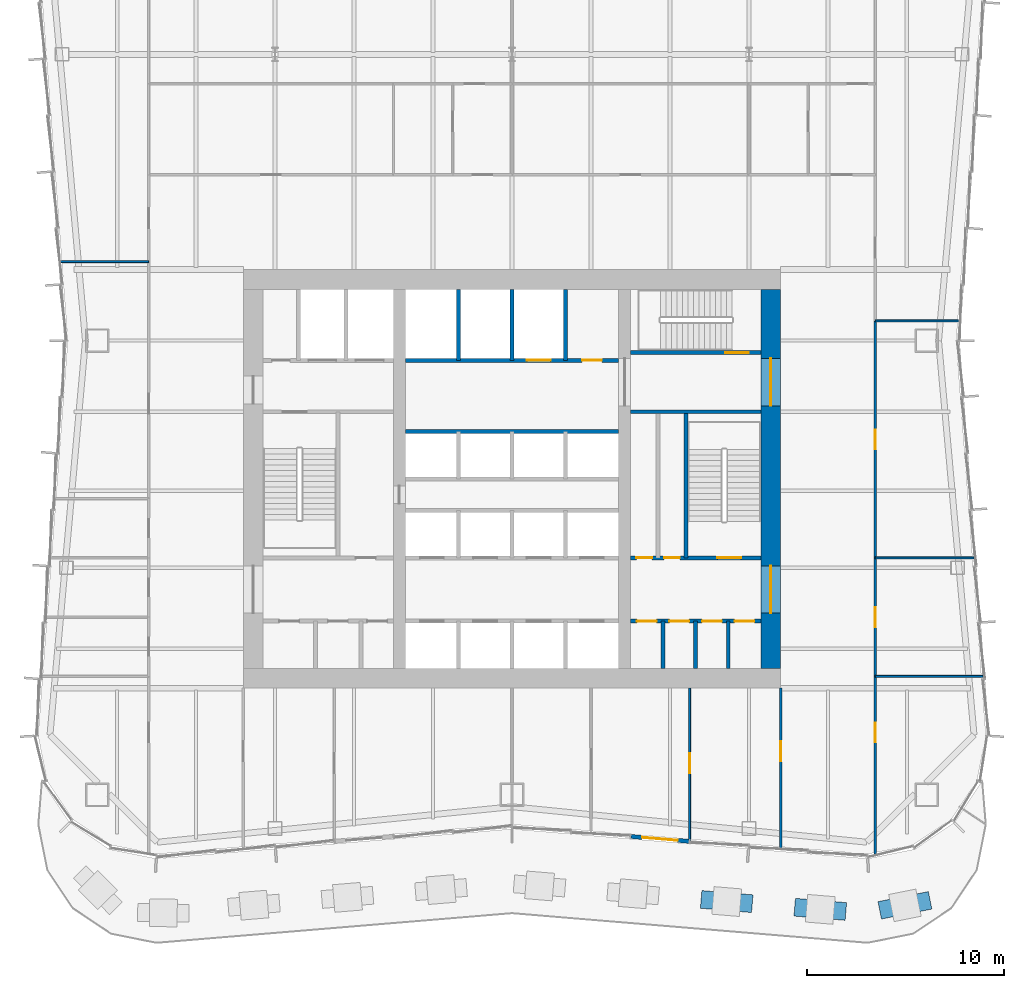
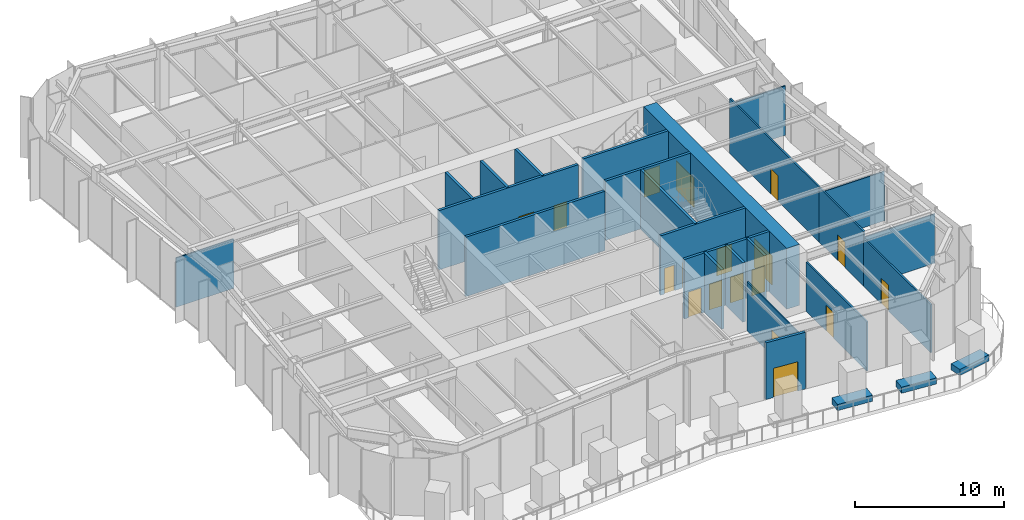
# One storey, part 10 of 15: 27 walls, 18 doors, 18 openings.
"""IFC4 building model written with IfcOpenShell, lengths in metres."""

from ifc_helpers import new_model, si_unit, direction, frame, frame_2d, origin, place, context, subcontext, project, spatial, rectangle, extrude, material, layer, layer_set, type_object, element, fill, save


model = new_model("IFC4")

# Units and contexts
model_context = context("Model", 3, precision=1e-05, world=origin(), true_north=direction((0.0, 1.0)))
body_context = subcontext(model_context, "Body", "Model", "MODEL_VIEW")
ifc_project = project(units=[si_unit("LENGTHUNIT", "METRE"), si_unit("AREAUNIT", "SQUARE_METRE"), si_unit("VOLUMEUNIT", "CUBIC_METRE"), si_unit("PLANEANGLEUNIT", "RADIAN"), si_unit("MASSUNIT", "GRAM", prefix="KILO")], contexts=[model_context])

# Site, building, storey
site_placement = place(None, origin())
site = spatial("IfcSite", under=ifc_project, at=site_placement, CompositionType="ELEMENT")
building_placement = place(site_placement, origin())
building = spatial("IfcBuilding", under=site, at=building_placement, Name="Verdant Reach Tower", CompositionType="ELEMENT")
storey_placement = place(building_placement, frame((0.0, 0.0, 121.0)))
storey = spatial("IfcBuildingStorey", under=building, at=storey_placement, Name="L27", CompositionType="ELEMENT", Elevation=121.0)

# Wall, openings, doors
ifc_material_1 = material(Name="Gypsum board on steel studs", Category="steel")
ifc_layer_1 = layer(ifc_material_1, 0.199951171875)
ifc_layer_set_1 = layer_set([ifc_layer_1], Name="CO-WALL-ROOM")
wall_type_1 = type_object("IfcWallType", Name="CO-WALL-ROOM", PredefinedType="PARTITIONING", material=ifc_layer_set_1)
wall_1_placement = place(storey_placement, frame((6.0, 20.800048828125, 0.0), z_axis=(0.0, 0.0, 1.0), x_axis=(1.0, 0.0, 0.0)))
wall_1 = element("IfcWall", 1, at=wall_1_placement, inside=storey, type_object=wall_type_1, Name="Core partition, L27", PredefinedType="PARTITIONING", context=body_context, shape_type="SweptSolid", body=[
    extrude(rectangle(XDim=6.60009765625, YDim=0.199951171875, at=frame_2d((3.300048828125, 0.0))), origin(), (0.0, 0.0, 1.0), 4.8701171875),
])
opening_1_placement = place(wall_1_placement, frame((0.324951171875, 0.0, 0.0)))
opening_1 = element("IfcOpeningElement", 2, at=opening_1_placement, cuts=wall_1, Name="Opening CD", PredefinedType="OPENING", context=body_context, shape_type="SweptSolid", body=[
    extrude(rectangle(XDim=1.0, YDim=2.10009765625, at=frame_2d((0.5, 1.050048828125))), frame((0.0, 0.10986328125, 0.0), z_axis=(0.0, -1.0, 0.0), x_axis=(1.0, 0.0, 0.0)), (0.0, 0.0, 1.0), 0.219970703125),
])
opening_2_placement = place(wall_1_placement, frame((1.97509765625, 0.0, 0.0)))
opening_2 = element("IfcOpeningElement", 3, at=opening_2_placement, cuts=wall_1, Name="Opening CD", PredefinedType="OPENING", context=body_context, shape_type="SweptSolid", body=[
    extrude(rectangle(XDim=1.0, YDim=2.10009765625, at=frame_2d((0.5, 1.050048828125))), frame((0.0, 0.10986328125, 0.0), z_axis=(0.0, -1.0, 0.0), x_axis=(1.0, 0.0, 0.0)), (0.0, 0.0, 1.0), 0.219970703125),
])
opening_3_placement = place(wall_1_placement, frame((3.625, 0.0, 0.0)))
opening_3 = element("IfcOpeningElement", 4, at=opening_3_placement, cuts=wall_1, Name="Opening CD", PredefinedType="OPENING", context=body_context, shape_type="SweptSolid", body=[
    extrude(rectangle(XDim=1.0, YDim=2.10009765625, at=frame_2d((0.5, 1.050048828125))), frame((0.0, 0.10986328125, 0.0), z_axis=(0.0, -1.0, 0.0), x_axis=(1.0, 0.0, 0.0)), (0.0, 0.0, 1.0), 0.219970703125),
])
opening_4_placement = place(wall_1_placement, frame((5.27490234375, 0.0, 0.0)))
opening_4 = element("IfcOpeningElement", 5, at=opening_4_placement, cuts=wall_1, Name="Opening CD", PredefinedType="OPENING", context=body_context, shape_type="SweptSolid", body=[
    extrude(rectangle(XDim=1.0, YDim=2.10009765625, at=frame_2d((0.5, 1.050048828125))), frame((0.0, 0.10986328125, 0.0), z_axis=(0.0, -1.0, 0.0), x_axis=(1.0, 0.0, 0.0)), (0.0, 0.0, 1.0), 0.219970703125),
])
ifc_material_2 = material(Name="Timber", Category="wood")
door_type_1 = type_object("IfcDoorType", Name="CO-DOOR-ROOM", OperationType="NOTDEFINED", PredefinedType="DOOR", material=ifc_material_2)
door_1_placement = place(opening_1_placement, origin())
door_1 = element("IfcDoor", 6, at=door_1_placement, inside=storey, type_object=door_type_1, Name="Core room door, L27", OperationType="SINGLE_SWING_LEFT", OverallHeight=2.10009765625, OverallWidth=1.0, PredefinedType="DOOR", context=body_context, shape_type="SweptSolid", body=[
    extrude(rectangle(XDim=1.0, YDim=2.10009765625, at=frame_2d((0.5, 1.050048828125))), frame((0.0, 0.02490234375, 0.0), z_axis=(0.0, -1.0, 0.0), x_axis=(1.0, 0.0, 0.0)), (0.0, 0.0, 1.0), 0.050048828125),
])
fill(opening_1, door_1)
door_2_placement = place(opening_2_placement, origin())
door_2 = element("IfcDoor", 7, at=door_2_placement, inside=storey, type_object=door_type_1, Name="Core room door, L27", OperationType="SINGLE_SWING_LEFT", OverallHeight=2.10009765625, OverallWidth=1.0, PredefinedType="DOOR", context=body_context, shape_type="SweptSolid", body=[
    extrude(rectangle(XDim=1.0, YDim=2.10009765625, at=frame_2d((0.5, 1.050048828125))), frame((0.0, 0.02490234375, 0.0), z_axis=(0.0, -1.0, 0.0), x_axis=(1.0, 0.0, 0.0)), (0.0, 0.0, 1.0), 0.050048828125),
])
fill(opening_2, door_2)
door_3_placement = place(opening_3_placement, origin())
door_3 = element("IfcDoor", 8, at=door_3_placement, inside=storey, type_object=door_type_1, Name="Core room door, L27", OperationType="SINGLE_SWING_RIGHT", OverallHeight=2.10009765625, OverallWidth=1.0, PredefinedType="DOOR", context=body_context, shape_type="SweptSolid", body=[
    extrude(rectangle(XDim=1.0, YDim=2.10009765625, at=frame_2d((0.5, 1.050048828125))), frame((0.0, 0.02490234375, 0.0), z_axis=(0.0, -1.0, 0.0), x_axis=(1.0, 0.0, 0.0)), (0.0, 0.0, 1.0), 0.050048828125),
])
fill(opening_3, door_3)
door_4_placement = place(opening_4_placement, origin())
door_4 = element("IfcDoor", 9, at=door_4_placement, inside=storey, type_object=door_type_1, Name="Core room door, L27", OperationType="SINGLE_SWING_RIGHT", OverallHeight=2.10009765625, OverallWidth=1.0, PredefinedType="DOOR", context=body_context, shape_type="SweptSolid", body=[
    extrude(rectangle(XDim=1.0, YDim=2.10009765625, at=frame_2d((0.5, 1.050048828125))), frame((0.0, 0.02490234375, 0.0), z_axis=(0.0, -1.0, 0.0), x_axis=(1.0, 0.0, 0.0)), (0.0, 0.0, 1.0), 0.050048828125),
])
fill(opening_4, door_4)

# Walls
for number, where, z_axis, x_axis, name in (
    (10, (7.64990234375, 18.39990234375, 0.0), (0.0, 0.0, 1.0), (0.0, 1.0, 0.0), "Core partition, L27"),
    (11, (9.300048828125, 18.39990234375, 0.0), (0.0, 0.0, 1.0), (0.0, 1.0, 0.0), "Core partition, L27"),
    (12, (10.949951171875, 18.39990234375, 0.0), (0.0, 0.0, 1.0), (0.0, 1.0, 0.0), "Core partition, L27"),
):
    element("IfcWall", number, at=place(storey_placement, frame(where, z_axis=z_axis, x_axis=x_axis)), inside=storey, type_object=wall_type_1, Name=name, PredefinedType="PARTITIONING", context=body_context, shape_type="SweptSolid", body=[
        extrude(rectangle(XDim=2.400146484375, YDim=0.199951171875, at=frame_2d((1.2001953125, 0.0))), origin(), (0.0, 0.0, 1.0), 4.8701171875),
    ])
ifc_material_3 = material(Name="Concrete C40/50", Category="concrete")
ifc_layer_2 = layer(ifc_material_3, 0.199951171875)
ifc_layer_set_2 = layer_set([ifc_layer_2], Name="CO-WALL-SHAFT")
wall_type_2 = type_object("IfcWallType", Name="CO-WALL-SHAFT", PredefinedType="PARTITIONING", material=ifc_layer_set_2)
wall_2_placement = place(storey_placement, frame((-5.39990234375, 30.39990234375, 0.0), z_axis=(0.0, 0.0, 1.0), x_axis=(1.0, 0.0, 0.0)))
element("IfcWall", 13, at=wall_2_placement, inside=storey, type_object=wall_type_2, Name="Lift shaft wall, L27", PredefinedType="PARTITIONING", context=body_context, shape_type="SweptSolid", body=[
    extrude(rectangle(XDim=10.7998046875, YDim=0.199951171875, at=frame_2d((5.39990234375, 0.0))), origin(), (0.0, 0.0, 1.0), 4.8701171875),
])

# Wall, openings, doors
wall_3_placement = place(storey_placement, frame((-5.39990234375, 34.0, 0.0), z_axis=(0.0, 0.0, 1.0), x_axis=(1.0, 0.0, 0.0)))
wall_3 = element("IfcWall", 14, at=wall_3_placement, inside=storey, type_object=wall_type_2, Name="Lift shaft wall, L27", PredefinedType="PARTITIONING", context=body_context, shape_type="SweptSolid", body=[
    extrude(rectangle(XDim=10.7998046875, YDim=0.199951171875, at=frame_2d((5.39990234375, 0.0))), origin(), (0.0, 0.0, 1.0), 4.8701171875),
])
opening_5_placement = place(wall_3_placement, frame((6.14990234375, 0.0, 0.0)))
opening_5 = element("IfcOpeningElement", 15, at=opening_5_placement, cuts=wall_3, Name="Opening LD-SL1", PredefinedType="OPENING", context=body_context, shape_type="SweptSolid", body=[
    extrude(rectangle(XDim=1.199951171875, YDim=2.199951171875, at=frame_2d((0.60009765625, 1.10009765625))), frame((0.0, 0.10986328125, 0.0), z_axis=(0.0, -1.0, 0.0), x_axis=(1.0, 0.0, 0.0)), (0.0, 0.0, 1.0), 0.219970703125),
])
opening_6_placement = place(wall_3_placement, frame((8.949951171875, 0.0, 0.0)))
opening_6 = element("IfcOpeningElement", 16, at=opening_6_placement, cuts=wall_3, Name="Opening CD", PredefinedType="OPENING", context=body_context, shape_type="SweptSolid", body=[
    extrude(rectangle(XDim=1.0, YDim=2.10009765625, at=frame_2d((0.5, 1.050048828125))), frame((0.0, 0.10986328125, 0.0), z_axis=(0.0, -1.0, 0.0), x_axis=(1.0, 0.0, 0.0)), (0.0, 0.0, 1.0), 0.219970703125),
])
ifc_material_4 = material(Name="Stainless steel", Category="steel")
door_type_2 = type_object("IfcDoorType", Name="CO-DOOR-LANDING", OperationType="SLIDING_TO_LEFT", PredefinedType="DOOR", material=ifc_material_4)
door_5_placement = place(opening_5_placement, origin())
door_5 = element("IfcDoor", 17, at=door_5_placement, inside=storey, type_object=door_type_2, Name="Landing door SL1, L27", OperationType="SLIDING_TO_LEFT", OverallHeight=2.199951171875, OverallWidth=1.199951171875, PredefinedType="DOOR", context=body_context, shape_type="SweptSolid", body=[
    extrude(rectangle(XDim=1.199951171875, YDim=2.199951171875, at=frame_2d((0.60009765625, 1.10009765625))), frame((0.0, 0.02490234375, 0.0), z_axis=(0.0, -1.0, 0.0), x_axis=(1.0, 0.0, 0.0)), (0.0, 0.0, 1.0), 0.050048828125),
])
fill(opening_5, door_5)
door_6_placement = place(opening_6_placement, origin())
door_6 = element("IfcDoor", 18, at=door_6_placement, inside=storey, type_object=door_type_1, Name="Core room door, L27", OperationType="SINGLE_SWING_LEFT", OverallHeight=2.10009765625, OverallWidth=1.0, PredefinedType="DOOR", context=body_context, shape_type="SweptSolid", body=[
    extrude(rectangle(XDim=1.0, YDim=2.10009765625, at=frame_2d((0.5, 1.050048828125))), frame((0.0, 0.02490234375, 0.0), z_axis=(0.0, -1.0, 0.0), x_axis=(1.0, 0.0, 0.0)), (0.0, 0.0, 1.0), 0.050048828125),
])
fill(opening_6, door_6)

# Walls
for number, where, z_axis, x_axis, name in (
    (19, (-2.699951171875, 34.0, 0.0), (0.0, 0.0, 1.0), (0.0, 1.0, 0.0), "Lift shaft wall, L27"),
    (20, (0.0, 34.0, 0.0), (0.0, 0.0, 1.0), (0.0, 1.0, 0.0), "Lift shaft wall, L27"),
    (21, (2.699951171875, 34.0, 0.0), (0.0, 0.0, 1.0), (0.0, 1.0, 0.0), "Lift shaft wall, L27"),
):
    element("IfcWall", number, at=place(storey_placement, frame(where, z_axis=z_axis, x_axis=x_axis)), inside=storey, type_object=wall_type_2, Name=name, PredefinedType="PARTITIONING", context=body_context, shape_type="SweptSolid", body=[
        extrude(rectangle(XDim=3.60009765625, YDim=0.199951171875, at=frame_2d((1.800048828125, 0.0))), origin(), (0.0, 0.0, 1.0), 4.8701171875),
    ])

# Wall, openings, doors
ifc_layer_3 = layer(ifc_material_3, 0.199951171875)
ifc_layer_set_3 = layer_set([ifc_layer_3], Name="CO-WALL-STAIR")
wall_type_3 = type_object("IfcWallType", Name="CO-WALL-STAIR", PredefinedType="PARTITIONING", material=ifc_layer_set_3)
wall_4_placement = place(storey_placement, frame((6.0, 24.0, 0.0), z_axis=(0.0, 0.0, 1.0), x_axis=(1.0, 0.0, 0.0)))
wall_4 = element("IfcWall", 22, at=wall_4_placement, inside=storey, type_object=wall_type_3, Name="Stair enclosure wall, L27", PredefinedType="PARTITIONING", context=body_context, shape_type="SweptSolid", body=[
    extrude(rectangle(XDim=6.60009765625, YDim=0.199951171875, at=frame_2d((3.300048828125, 0.0))), origin(), (0.0, 0.0, 1.0), 4.8701171875),
])
opening_7_placement = place(wall_4_placement, frame((0.300048828125, 0.0, 0.0)))
opening_7 = element("IfcOpeningElement", 23, at=opening_7_placement, cuts=wall_4, Name="Opening CDN", PredefinedType="OPENING", context=body_context, shape_type="SweptSolid", body=[
    extrude(rectangle(XDim=0.800048828125, YDim=2.10009765625, at=frame_2d((0.39990234375, 1.050048828125))), frame((0.0, 0.10986328125, 0.0), z_axis=(0.0, -1.0, 0.0), x_axis=(1.0, 0.0, 0.0)), (0.0, 0.0, 1.0), 0.219970703125),
])
opening_8_placement = place(wall_4_placement, frame((1.699951171875, 0.0, 0.0)))
opening_8 = element("IfcOpeningElement", 24, at=opening_8_placement, cuts=wall_4, Name="Opening CDN", PredefinedType="OPENING", context=body_context, shape_type="SweptSolid", body=[
    extrude(rectangle(XDim=0.800048828125, YDim=2.10009765625, at=frame_2d((0.39990234375, 1.050048828125))), frame((0.0, 0.10986328125, 0.0), z_axis=(0.0, -1.0, 0.0), x_axis=(1.0, 0.0, 0.0)), (0.0, 0.0, 1.0), 0.219970703125),
])
opening_9_placement = place(wall_4_placement, frame((4.39990234375, 0.0, 0.0)))
opening_9 = element("IfcOpeningElement", 25, at=opening_9_placement, cuts=wall_4, Name="Opening SD", PredefinedType="OPENING", context=body_context, shape_type="SweptSolid", body=[
    extrude(rectangle(XDim=1.199951171875, YDim=2.199951171875, at=frame_2d((0.60009765625, 1.10009765625))), frame((0.0, 0.10986328125, 0.0), z_axis=(0.0, -1.0, 0.0), x_axis=(1.0, 0.0, 0.0)), (0.0, 0.0, 1.0), 0.219970703125),
])
door_type_3 = type_object("IfcDoorType", Name="CO-DOOR-ROOM-NARROW", OperationType="NOTDEFINED", PredefinedType="DOOR", material=ifc_material_2)
door_7_placement = place(opening_7_placement, origin())
door_7 = element("IfcDoor", 26, at=door_7_placement, inside=storey, type_object=door_type_3, Name="Core room door, L27", OperationType="SINGLE_SWING_LEFT", OverallHeight=2.10009765625, OverallWidth=0.800048828125, PredefinedType="DOOR", context=body_context, shape_type="SweptSolid", body=[
    extrude(rectangle(XDim=0.800048828125, YDim=2.10009765625, at=frame_2d((0.39990234375, 1.050048828125))), frame((0.0, 0.02490234375, 0.0), z_axis=(0.0, -1.0, 0.0), x_axis=(1.0, 0.0, 0.0)), (0.0, 0.0, 1.0), 0.050048828125),
])
fill(opening_7, door_7)
door_8_placement = place(opening_8_placement, origin())
door_8 = element("IfcDoor", 27, at=door_8_placement, inside=storey, type_object=door_type_3, Name="Core room door, L27", OperationType="SINGLE_SWING_RIGHT", OverallHeight=2.10009765625, OverallWidth=0.800048828125, PredefinedType="DOOR", context=body_context, shape_type="SweptSolid", body=[
    extrude(rectangle(XDim=0.800048828125, YDim=2.10009765625, at=frame_2d((0.39990234375, 1.050048828125))), frame((0.0, 0.02490234375, 0.0), z_axis=(0.0, -1.0, 0.0), x_axis=(1.0, 0.0, 0.0)), (0.0, 0.0, 1.0), 0.050048828125),
])
fill(opening_8, door_8)
ifc_material_5 = material(Name="Steel", Category="steel")
door_type_4 = type_object("IfcDoorType", Name="CO-DOOR-STAIR", OperationType="NOTDEFINED", PredefinedType="DOOR", material=ifc_material_5)
door_9_placement = place(opening_9_placement, origin())
door_9 = element("IfcDoor", 28, at=door_9_placement, inside=storey, type_object=door_type_4, Name="Stair door, L27", OperationType="SINGLE_SWING_LEFT", OverallHeight=2.199951171875, OverallWidth=1.199951171875, PredefinedType="DOOR", context=body_context, shape_type="SweptSolid", body=[
    extrude(rectangle(XDim=1.199951171875, YDim=2.199951171875, at=frame_2d((0.60009765625, 1.10009765625))), frame((0.0, 0.02490234375, 0.0), z_axis=(0.0, -1.0, 0.0), x_axis=(1.0, 0.0, 0.0)), (0.0, 0.0, 1.0), 0.050048828125),
])
fill(opening_9, door_9)

# Wall
wall_5_placement = place(storey_placement, frame((6.0, 31.39990234375, 0.0), z_axis=(0.0, 0.0, 1.0), x_axis=(1.0, 0.0, 0.0)))
element("IfcWall", 29, at=wall_5_placement, inside=storey, type_object=wall_type_3, Name="Stair enclosure wall, L27", PredefinedType="PARTITIONING", context=body_context, shape_type="SweptSolid", body=[
    extrude(rectangle(XDim=6.60009765625, YDim=0.199951171875, at=frame_2d((3.300048828125, 0.0))), origin(), (0.0, 0.0, 1.0), 4.8701171875),
])

# Wall, opening, door
wall_6_placement = place(storey_placement, frame((6.0, 34.39990234375, 0.0), z_axis=(0.0, 0.0, 1.0), x_axis=(1.0, 0.0, 0.0)))
wall_6 = element("IfcWall", 30, at=wall_6_placement, inside=storey, type_object=wall_type_3, Name="Stair enclosure wall, L27", PredefinedType="PARTITIONING", context=body_context, shape_type="SweptSolid", body=[
    extrude(rectangle(XDim=6.60009765625, YDim=0.199951171875, at=frame_2d((3.300048828125, 0.0))), origin(), (0.0, 0.0, 1.0), 4.8701171875),
])
opening_10_placement = place(wall_6_placement, frame((4.800048828125, 0.0, 0.0)))
opening_10 = element("IfcOpeningElement", 31, at=opening_10_placement, cuts=wall_6, Name="Opening SD", PredefinedType="OPENING", context=body_context, shape_type="SweptSolid", body=[
    extrude(rectangle(XDim=1.199951171875, YDim=2.199951171875, at=frame_2d((0.60009765625, 1.10009765625))), frame((0.0, 0.10986328125, 0.0), z_axis=(0.0, -1.0, 0.0), x_axis=(1.0, 0.0, 0.0)), (0.0, 0.0, 1.0), 0.219970703125),
])
door_10_placement = place(opening_10_placement, origin())
door_10 = element("IfcDoor", 32, at=door_10_placement, inside=storey, type_object=door_type_4, Name="Stair door, L27", OperationType="SINGLE_SWING_RIGHT", OverallHeight=2.199951171875, OverallWidth=1.199951171875, PredefinedType="DOOR", context=body_context, shape_type="SweptSolid", body=[
    extrude(rectangle(XDim=1.199951171875, YDim=2.199951171875, at=frame_2d((0.60009765625, 1.10009765625))), frame((0.0, 0.02490234375, 0.0), z_axis=(0.0, -1.0, 0.0), x_axis=(1.0, 0.0, 0.0)), (0.0, 0.0, 1.0), 0.050048828125),
])
fill(opening_10, door_10)

# Wall
wall_7_placement = place(storey_placement, frame((8.800048828125, 24.0, 0.0), z_axis=(0.0, 0.0, 1.0), x_axis=(0.0, 1.0, 0.0)))
element("IfcWall", 33, at=wall_7_placement, inside=storey, type_object=wall_type_3, Name="Stair enclosure wall, L27", PredefinedType="PARTITIONING", context=body_context, shape_type="SweptSolid", body=[
    extrude(rectangle(XDim=7.39990234375, YDim=0.199951171875, at=frame_2d((3.699951171875, 0.0))), origin(), (0.0, 0.0, 1.0), 4.8701171875),
])

# Wall, opening, door
ifc_material_6 = material(Name="Insulated bronze aluminium panel wall", Category="aluminium")
ifc_layer_4 = layer(ifc_material_6, 0.219970703125)
ifc_layer_set_4 = layer_set([ifc_layer_4], Name="EN-INFILL WALL")
wall_type_4 = type_object("IfcWallType", Name="EN-INFILL WALL", PredefinedType="SOLIDWALL", material=ifc_layer_set_4)
wall_8_placement = place(storey_placement, frame((6.023193359375, 9.8916015625, 0.0), z_axis=(0.0, 0.0, 1.0), x_axis=(0.99654690113, -0.083031764089, 0.0)))
wall_8 = element("IfcWall", 34, at=wall_8_placement, inside=storey, type_object=wall_type_4, Name="External infill wall, terrace bay 2, L27", PredefinedType="SOLIDWALL", context=body_context, shape_type="SweptSolid", body=[
    extrude(rectangle(XDim=2.9462890625, YDim=0.2119140625, at=frame_2d((1.47314453125, 0.0))), origin(), (0.0, 0.0, 1.0), 4.64990234375),
])
opening_11_placement = place(wall_8_placement, frame((0.5732421875, 0.0, 0.0)))
opening_11 = element("IfcOpeningElement", 35, at=opening_11_placement, cuts=wall_8, Name="Opening TD1-DR", PredefinedType="OPENING", context=body_context, shape_type="SweptSolid", body=[
    extrude(rectangle(XDim=1.800048828125, YDim=2.39990234375, at=frame_2d((0.89990234375, 1.199951171875))), frame((0.0, 0.115966796875, 0.0), z_axis=(0.0, -1.0, 0.0), x_axis=(1.0, 0.0, 0.0)), (0.0, 0.0, 1.0), 0.23193359375),
])
ifc_material_7 = material(Name="Aluminium framed glazed door", Category="aluminium")
door_type_5 = type_object("IfcDoorType", Name="EN-DOOR TERRACE", OperationType="DOUBLE_DOOR_SINGLE_SWING", PredefinedType="DOOR", material=ifc_material_7)
door_11_placement = place(opening_11_placement, origin())
door_11 = element("IfcDoor", 36, at=door_11_placement, inside=storey, type_object=door_type_5, Name="Terrace door 2, L27", OperationType="DOUBLE_DOOR_SINGLE_SWING", OverallHeight=2.39990234375, OverallWidth=1.800048828125, PredefinedType="DOOR", context=body_context, shape_type="SweptSolid", body=[
    extrude(rectangle(XDim=1.800048828125, YDim=2.39990234375, at=frame_2d((0.89990234375, 1.199951171875))), frame((0.0, 0.02490234375, 0.0), z_axis=(0.0, -1.0, 0.0), x_axis=(1.0, 0.0, 0.0)), (0.0, 0.0, 1.0), 0.050048828125),
])
fill(opening_11, door_11)

# Walls
ifc_material_8 = material(Name="Precast concrete C30/37", Category="concrete")
ifc_layer_5 = layer(ifc_material_8, 0.89990234375)
ifc_layer_set_5 = layer_set([ifc_layer_5], Name="EN-PLANTER TERRACE")
wall_type_5 = type_object("IfcWallType", Name="EN-PLANTER TERRACE", PredefinedType="USERDEFINED", material=ifc_layer_set_5)
for number, where, z_axis, x_axis, name in (
    (37, (21.171630859375, 6.66015625, 0.0), (0.0, 0.0, 1.0), (-0.980796771907, -0.195032541431, 0.0), "Terrace planter 1, L27"),
    (38, (16.906005859375, 6.096435546875, 0.0), (0.0, 0.0, 1.0), (-0.99654899538, 0.083006625075, 0.0), "Terrace planter 2, L27"),
    (39, (12.16748046875, 6.4912109375, 0.0), (0.0, 0.0, 1.0), (-0.996541223745, 0.083099875908, 0.0), "Terrace planter 3, L27"),
):
    element("IfcWall", number, at=place(storey_placement, frame(where, z_axis=z_axis, x_axis=x_axis)), inside=storey, type_object=wall_type_5, Name=name, ObjectType="PLANTER", PredefinedType="USERDEFINED", context=body_context, shape_type="SweptSolid", body=[
        extrude(rectangle(XDim=2.60009765625, YDim=0.89990234375, at=frame_2d((1.300048828125, 0.0))), origin(), (0.0, 0.0, 1.0), 0.5),
    ])
ifc_layer_6 = layer(ifc_material_1, 0.10009765625)
ifc_layer_set_6 = layer_set([ifc_layer_6], Name="FL-W1 Partition 100")
wall_type_6 = type_object("IfcWallType", Name="FL-W1 Partition 100", PredefinedType="PARTITIONING", material=ifc_layer_set_6)
wall_9_placement = place(storey_placement, frame((-18.39990234375, 39.0, 0.0), z_axis=(0.0, 0.0, 1.0), x_axis=(-1.0, 0.0, 0.0)))
element("IfcWall", 40, at=wall_9_placement, inside=storey, type_object=wall_type_6, Name="Partition 27.23", PredefinedType="PARTITIONING", context=body_context, shape_type="SweptSolid", body=[
    extrude(rectangle(XDim=4.47998046875, YDim=0.10009765625, at=frame_2d((2.239990234375, 0.0))), origin(), (0.0, 0.0, 1.0), 4.0400390625),
])
wall_10_placement = place(storey_placement, frame((23.85498046875, 18.0, 0.0), z_axis=(0.0, 0.0, 1.0), x_axis=(-1.0, 0.0, 0.0)))
element("IfcWall", 41, at=wall_10_placement, inside=storey, type_object=wall_type_6, Name="Partition 27.27", PredefinedType="PARTITIONING", context=body_context, shape_type="SweptSolid", body=[
    extrude(rectangle(XDim=5.455078125, YDim=0.10009765625, at=frame_2d((2.7275390625, 0.0))), origin(), (0.0, 0.0, 1.0), 4.0400390625),
])
wall_11_placement = place(storey_placement, frame((23.405029296875, 24.0, 0.0), z_axis=(0.0, 0.0, 1.0), x_axis=(-1.0, 0.0, 0.0)))
element("IfcWall", 42, at=wall_11_placement, inside=storey, type_object=wall_type_6, Name="Partition 27.28", PredefinedType="PARTITIONING", context=body_context, shape_type="SweptSolid", body=[
    extrude(rectangle(XDim=5.005126953125, YDim=0.10009765625, at=frame_2d((2.50244140625, 0.0))), origin(), (0.0, 0.0, 1.0), 4.0400390625),
])
wall_12_placement = place(storey_placement, frame((22.655029296875, 36.0, 0.0), z_axis=(0.0, 0.0, 1.0), x_axis=(-1.0, 0.0, 0.0)))
element("IfcWall", 43, at=wall_12_placement, inside=storey, type_object=wall_type_6, Name="Partition 27.29", PredefinedType="PARTITIONING", context=body_context, shape_type="SweptSolid", body=[
    extrude(rectangle(XDim=4.255126953125, YDim=0.10009765625, at=frame_2d((2.12744140625, 0.0))), origin(), (0.0, 0.0, 1.0), 4.0400390625),
])

# Wall, opening, door
wall_13_placement = place(storey_placement, frame((9.0, 9.669921875, 0.0), z_axis=(0.0, 0.0, 1.0), x_axis=(0.0, 1.0, 0.0)))
wall_13 = element("IfcWall", 44, at=wall_13_placement, inside=storey, type_object=wall_type_6, Name="Partition 27.35", PredefinedType="PARTITIONING", context=body_context, shape_type="SweptSolid", body=[
    extrude(rectangle(XDim=7.72998046875, YDim=0.10009765625, at=frame_2d((3.864990234375, 0.0))), origin(), (0.0, 0.0, 1.0), 4.0400390625),
])
opening_12_placement = place(wall_13_placement, frame((3.43017578125, 0.0, 0.0)))
opening_12 = element("IfcOpeningElement", 45, at=opening_12_placement, cuts=wall_13, Name="Opening D3", PredefinedType="OPENING", context=body_context, shape_type="SweptSolid", body=[
    extrude(rectangle(XDim=1.0, YDim=2.10009765625, at=frame_2d((0.5, 1.050048828125))), frame((0.0, 0.06005859375, 0.0), z_axis=(0.0, -1.0, 0.0), x_axis=(1.0, 0.0, 0.0)), (0.0, 0.0, 1.0), 0.1201171875),
])
ifc_material_9 = material(Name="Painted timber door leaf", Category="wood")
door_type_6 = type_object("IfcDoorType", Name="FL-D3 Door 1000x2100", OperationType="NOTDEFINED", PredefinedType="DOOR", material=ifc_material_9)
door_12_placement = place(opening_12_placement, origin())
door_12 = element("IfcDoor", 46, at=door_12_placement, inside=storey, type_object=door_type_6, Name="Door 27-018", OperationType="SINGLE_SWING_RIGHT", OverallHeight=2.10009765625, OverallWidth=1.0, PredefinedType="DOOR", context=body_context, shape_type="SweptSolid", body=[
    extrude(rectangle(XDim=1.0, YDim=2.10009765625, at=frame_2d((0.5, 1.050048828125))), frame((0.0, 0.02490234375, 0.0), z_axis=(0.0, -1.0, 0.0), x_axis=(1.0, 0.0, 0.0)), (0.0, 0.0, 1.0), 0.050048828125),
])
fill(opening_12, door_12)

ifc_material_10 = material(Name="Gypsum board on steel studs, fire rated", Category="steel")
ifc_layer_7 = layer(ifc_material_10, 0.125)
ifc_layer_set_7 = layer_set([ifc_layer_7], Name="FL-W2 Corridor wall 125")
wall_type_7 = type_object("IfcWallType", Name="FL-W2 Corridor wall 125", PredefinedType="PARTITIONING", material=ifc_layer_set_7)
wall_14_placement = place(storey_placement, frame((18.39990234375, 18.0, 0.0), z_axis=(0.0, 0.0, 1.0), x_axis=(0.0, -1.0, 0.0)))
wall_14 = element("IfcWall", 47, at=wall_14_placement, inside=storey, type_object=wall_type_7, Name="Partition 27.07", PredefinedType="PARTITIONING", context=body_context, shape_type="SweptSolid", body=[
    extrude(rectangle(XDim=9.00048828125, YDim=0.125, at=frame_2d((4.500244140625, 0.0))), origin(), (0.0, 0.0, 1.0), 3.929931640625),
])
opening_13_placement = place(wall_14_placement, frame((2.334716796875, 0.0, 0.0)))
opening_13 = element("IfcOpeningElement", 48, at=opening_13_placement, cuts=wall_14, Name="Opening D2", PredefinedType="OPENING", context=body_context, shape_type="SweptSolid", body=[
    extrude(rectangle(XDim=1.0, YDim=2.10009765625, at=frame_2d((0.5, 1.050048828125))), frame((0.0, 0.072509765625, 0.0), z_axis=(0.0, -1.0, 0.0), x_axis=(1.0, 0.0, 0.0)), (0.0, 0.0, 1.0), 0.14501953125),
])
ifc_material_11 = material(Name="Timber door leaf, fire rated", Category="wood")
door_type_7 = type_object("IfcDoorType", Name="FL-D2 Entrance door 1000x2100 FD30", OperationType="NOTDEFINED", PredefinedType="DOOR", material=ifc_material_11)
door_13_placement = place(opening_13_placement, origin())
door_13 = element("IfcDoor", 49, at=door_13_placement, inside=storey, type_object=door_type_7, Name="Door 27-007", OperationType="SINGLE_SWING_LEFT", OverallHeight=2.10009765625, OverallWidth=1.0, PredefinedType="DOOR", context=body_context, shape_type="SweptSolid", body=[
    extrude(rectangle(XDim=1.0, YDim=2.10009765625, at=frame_2d((0.5, 1.050048828125))), frame((0.0, 0.02490234375, 0.0), z_axis=(0.0, -1.0, 0.0), x_axis=(1.0, 0.0, 0.0)), (0.0, 0.0, 1.0), 0.050048828125),
])
fill(opening_13, door_13)

wall_15_placement = place(storey_placement, frame((18.39990234375, 24.0, 0.0), z_axis=(0.0, 0.0, 1.0), x_axis=(0.0, -1.0, 0.0)))
wall_15 = element("IfcWall", 50, at=wall_15_placement, inside=storey, type_object=wall_type_7, Name="Partition 27.08", PredefinedType="PARTITIONING", context=body_context, shape_type="SweptSolid", body=[
    extrude(rectangle(XDim=6.0, YDim=0.125, at=frame_2d((3.0, 0.0))), origin(), (0.0, 0.0, 1.0), 4.47998046875),
])
opening_14_placement = place(wall_15_placement, frame((2.5, 0.0, 0.0)))
opening_14 = element("IfcOpeningElement", 51, at=opening_14_placement, cuts=wall_15, Name="Opening D2", PredefinedType="OPENING", context=body_context, shape_type="SweptSolid", body=[
    extrude(rectangle(XDim=1.0, YDim=2.10009765625, at=frame_2d((0.5, 1.050048828125))), frame((0.0, 0.072509765625, 0.0), z_axis=(0.0, -1.0, 0.0), x_axis=(1.0, 0.0, 0.0)), (0.0, 0.0, 1.0), 0.14501953125),
])
door_14_placement = place(opening_14_placement, origin())
door_14 = element("IfcDoor", 52, at=door_14_placement, inside=storey, type_object=door_type_7, Name="Door 27-008", OperationType="SINGLE_SWING_RIGHT", OverallHeight=2.10009765625, OverallWidth=1.0, PredefinedType="DOOR", context=body_context, shape_type="SweptSolid", body=[
    extrude(rectangle(XDim=1.0, YDim=2.10009765625, at=frame_2d((0.5, 1.050048828125))), frame((0.0, 0.02490234375, 0.0), z_axis=(0.0, -1.0, 0.0), x_axis=(1.0, 0.0, 0.0)), (0.0, 0.0, 1.0), 0.050048828125),
])
fill(opening_14, door_14)

wall_16_placement = place(storey_placement, frame((18.39990234375, 36.0, 0.0), z_axis=(0.0, 0.0, 1.0), x_axis=(0.0, -1.0, 0.0)))
wall_16 = element("IfcWall", 53, at=wall_16_placement, inside=storey, type_object=wall_type_7, Name="Partition 27.09", PredefinedType="PARTITIONING", context=body_context, shape_type="SweptSolid", body=[
    extrude(rectangle(XDim=12.0, YDim=0.125, at=frame_2d((6.0, 0.0))), origin(), (0.0, 0.0, 1.0), 4.47998046875),
])
opening_15_placement = place(wall_16_placement, frame((5.5, 0.0, 0.0)))
opening_15 = element("IfcOpeningElement", 54, at=opening_15_placement, cuts=wall_16, Name="Opening D2", PredefinedType="OPENING", context=body_context, shape_type="SweptSolid", body=[
    extrude(rectangle(XDim=1.0, YDim=2.10009765625, at=frame_2d((0.5, 1.050048828125))), frame((0.0, 0.072509765625, 0.0), z_axis=(0.0, -1.0, 0.0), x_axis=(1.0, 0.0, 0.0)), (0.0, 0.0, 1.0), 0.14501953125),
])
door_15_placement = place(opening_15_placement, origin())
door_15 = element("IfcDoor", 55, at=door_15_placement, inside=storey, type_object=door_type_7, Name="Door 27-009", OperationType="SINGLE_SWING_LEFT", OverallHeight=2.10009765625, OverallWidth=1.0, PredefinedType="DOOR", context=body_context, shape_type="SweptSolid", body=[
    extrude(rectangle(XDim=1.0, YDim=2.10009765625, at=frame_2d((0.5, 1.050048828125))), frame((0.0, 0.02490234375, 0.0), z_axis=(0.0, -1.0, 0.0), x_axis=(1.0, 0.0, 0.0)), (0.0, 0.0, 1.0), 0.050048828125),
])
fill(opening_15, door_15)

wall_17_placement = place(storey_placement, frame((13.60009765625, 9.28662109375, 0.0), z_axis=(0.0, 0.0, 1.0), x_axis=(0.0, 1.0, 0.0)))
wall_17 = element("IfcWall", 56, at=wall_17_placement, inside=storey, type_object=wall_type_7, Name="Partition 27.12", PredefinedType="PARTITIONING", context=body_context, shape_type="SweptSolid", body=[
    extrude(rectangle(XDim=8.11328125, YDim=0.125, at=frame_2d((4.056640625, 0.0))), origin(), (0.0, 0.0, 1.0), 4.0400390625),
])
opening_16_placement = place(wall_17_placement, frame((4.421875, 0.0, 0.0)))
opening_16 = element("IfcOpeningElement", 57, at=opening_16_placement, cuts=wall_17, Name="Opening D2", PredefinedType="OPENING", context=body_context, shape_type="SweptSolid", body=[
    extrude(rectangle(XDim=1.0, YDim=2.10009765625, at=frame_2d((0.5, 1.050048828125))), frame((0.0, 0.072509765625, 0.0), z_axis=(0.0, -1.0, 0.0), x_axis=(1.0, 0.0, 0.0)), (0.0, 0.0, 1.0), 0.14501953125),
])
door_16_placement = place(opening_16_placement, origin())
door_16 = element("IfcDoor", 58, at=door_16_placement, inside=storey, type_object=door_type_7, Name="Door 27-012", OperationType="SINGLE_SWING_RIGHT", OverallHeight=2.10009765625, OverallWidth=1.0, PredefinedType="DOOR", context=body_context, shape_type="SweptSolid", body=[
    extrude(rectangle(XDim=1.0, YDim=2.10009765625, at=frame_2d((0.5, 1.050048828125))), frame((0.0, 0.02490234375, 0.0), z_axis=(0.0, -1.0, 0.0), x_axis=(1.0, 0.0, 0.0)), (0.0, 0.0, 1.0), 0.050048828125),
])
fill(opening_16, door_16)

# Wall, openings, doors
ifc_material_12 = material(Name="Concrete C70/85", Category="concrete")
ifc_layer_8 = layer(ifc_material_12, 1.0)
ifc_layer_set_8 = layer_set([ifc_layer_8], Name="ST-CORE-WALL-1000")
wall_type_8 = type_object("IfcWallType", Name="ST-CORE-WALL-1000", PredefinedType="SHEAR", material=ifc_layer_set_8)
wall_18_placement = place(storey_placement, frame((13.10009765625, 18.39990234375, -0.1298828125), z_axis=(0.0, 0.0, 1.0), x_axis=(0.0, 1.0, 0.0)))
wall_18 = element("IfcWall", 59, at=wall_18_placement, inside=storey, type_object=wall_type_8, Name="Core wall E, L27", PredefinedType="SHEAR", context=body_context, shape_type="SweptSolid", body=[
    extrude(rectangle(XDim=19.2001953125, YDim=1.0, at=frame_2d((9.60009765625, 0.0))), origin(), (0.0, 0.0, 1.0), 5.0),
])
opening_17_placement = place(wall_18_placement, frame((2.800048828125, 0.0, 0.1298828125)))
opening_17 = element("IfcOpeningElement", 60, at=opening_17_placement, cuts=wall_18, Name="Opening LB", PredefinedType="OPENING", context=body_context, shape_type="SweptSolid", body=[
    extrude(rectangle(XDim=2.39990234375, YDim=2.39990234375, at=frame_2d((1.199951171875, 1.199951171875))), frame((0.0, 0.510009765625, 0.0), z_axis=(0.0, -1.0, 0.0), x_axis=(1.0, 0.0, 0.0)), (0.0, 0.0, 1.0), 1.02001953125),
])
opening_18_placement = place(wall_18_placement, frame((13.300048828125, 0.0, 0.1298828125)))
opening_18 = element("IfcOpeningElement", 61, at=opening_18_placement, cuts=wall_18, Name="Opening LB", PredefinedType="OPENING", context=body_context, shape_type="SweptSolid", body=[
    extrude(rectangle(XDim=2.39990234375, YDim=2.39990234375, at=frame_2d((1.199951171875, 1.199951171875))), frame((0.0, 0.510009765625, 0.0), z_axis=(0.0, -1.0, 0.0), x_axis=(1.0, 0.0, 0.0)), (0.0, 0.0, 1.0), 1.02001953125),
])
ifc_material_13 = material(Name="Glass and steel", Category="steel")
door_type_8 = type_object("IfcDoorType", Name="CO-DOOR-LOBBY", OperationType="DOUBLE_DOOR_SINGLE_SWING", PredefinedType="DOOR", material=ifc_material_13)
door_17_placement = place(opening_17_placement, origin())
door_17 = element("IfcDoor", 62, at=door_17_placement, inside=storey, type_object=door_type_8, Name="Core entrance door, L27", OperationType="DOUBLE_DOOR_SINGLE_SWING", OverallHeight=2.39990234375, OverallWidth=2.39990234375, PredefinedType="DOOR", context=body_context, shape_type="SweptSolid", body=[
    extrude(rectangle(XDim=2.39990234375, YDim=2.39990234375, at=frame_2d((1.199951171875, 1.199951171875))), frame((0.0, 0.02490234375, 0.0), z_axis=(0.0, -1.0, 0.0), x_axis=(1.0, 0.0, 0.0)), (0.0, 0.0, 1.0), 0.050048828125),
])
fill(opening_17, door_17)
door_18_placement = place(opening_18_placement, origin())
door_18 = element("IfcDoor", 63, at=door_18_placement, inside=storey, type_object=door_type_8, Name="Core entrance door, L27", OperationType="DOUBLE_DOOR_SINGLE_SWING", OverallHeight=2.39990234375, OverallWidth=2.39990234375, PredefinedType="DOOR", context=body_context, shape_type="SweptSolid", body=[
    extrude(rectangle(XDim=2.39990234375, YDim=2.39990234375, at=frame_2d((1.199951171875, 1.199951171875))), frame((0.0, 0.02490234375, 0.0), z_axis=(0.0, -1.0, 0.0), x_axis=(1.0, 0.0, 0.0)), (0.0, 0.0, 1.0), 0.050048828125),
])
fill(opening_18, door_18)

save(model, "model.ifc")
